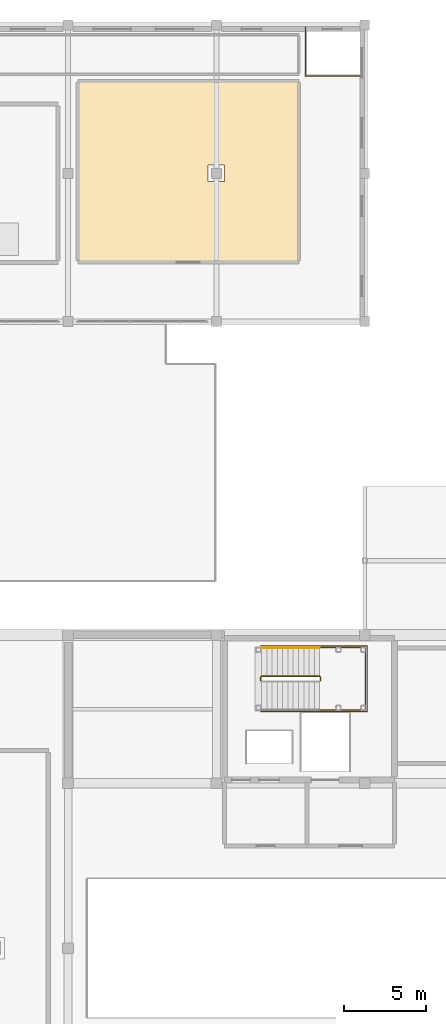
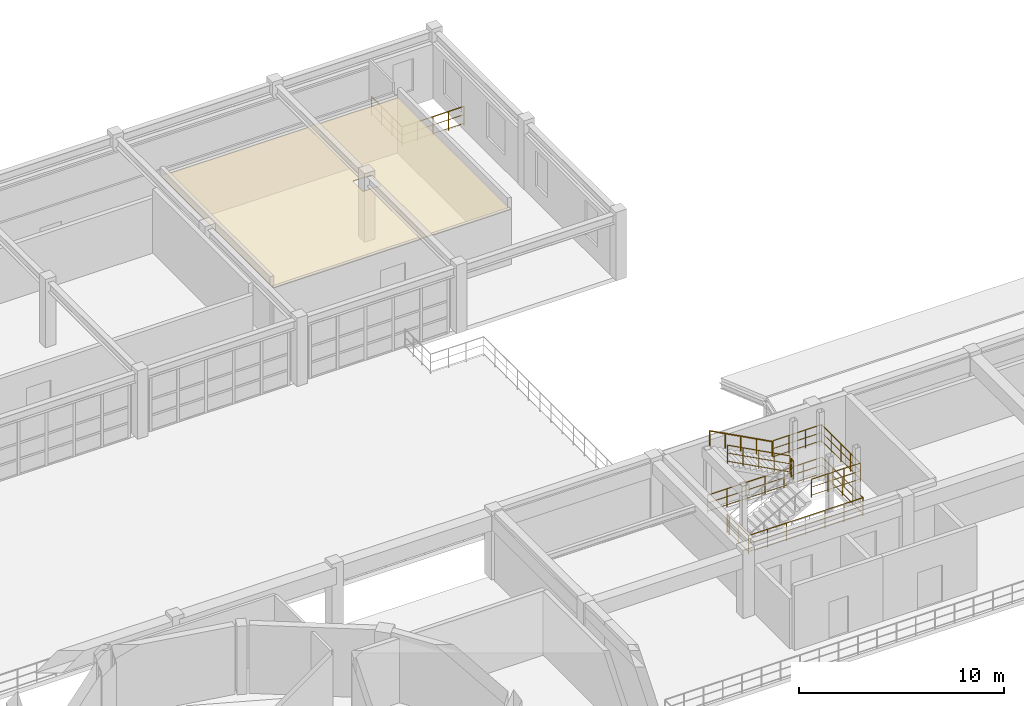
# One storey, part 80 of 80: 7 railings, 1 covering.
"""IFC4 building model written with IfcOpenShell, lengths in metres."""

from ifc_helpers import new_model, si_unit, direction, frame, origin, origin_2d, place, context, subcontext, project, spatial, polyline, circle, outline, extrude, material, layer, layer_set, type_object, element, save


model = new_model("IFC4")

# Units and contexts
model_context = context("Model", 3, precision=1e-05, world=origin(), true_north=direction((0.0, 1.0)))
body_context = subcontext(model_context, "Body", "Model", "MODEL_VIEW")
ifc_project = project(units=[si_unit("LENGTHUNIT", "METRE"), si_unit("AREAUNIT", "SQUARE_METRE"), si_unit("VOLUMEUNIT", "CUBIC_METRE"), si_unit("PLANEANGLEUNIT", "RADIAN"), si_unit("MASSUNIT", "GRAM", prefix="KILO")], contexts=[model_context])

# Site, building, storey
site_placement = place(None, origin())
site = spatial("IfcSite", under=ifc_project, at=site_placement, CompositionType="ELEMENT")
building_placement = place(site_placement, origin())
building = spatial("IfcBuilding", under=site, at=building_placement, Name="Miravela Opera House", CompositionType="ELEMENT")
storey_placement = place(building_placement, frame((0.0, 0.0, 17.679931640625)))
storey = spatial("IfcBuildingStorey", under=building, at=storey_placement, Name="L04", CompositionType="ELEMENT", Elevation=17.679931640625)

# Covering
ifc_material_1 = material(Name="Spanish Colonial coffered lime-plaster ceiling")
ifc_layer = layer(ifc_material_1, 0.0419921875)
ifc_layer_set = layer_set([ifc_layer])
covering_type = type_object("IfcCoveringType", Name="ARC-CEIL-COFFER-42", PredefinedType="CEILING", material=ifc_layer_set)
covering_placement = place(storey_placement, frame((0.0, 0.0, 3.197021484375)))
element("IfcCovering", 1, at=covering_placement, inside=storey, type_object=covering_type, Name="Endowment Boardroom and Patron Salon Acoustic Ceiling", PredefinedType="CEILING", context=body_context, shape_type="SweptSolid", body=[
    extrude(outline(polyline([(99.60009765625, 97.60009765625), (113.0, 97.60009765625), (113.0, 108.60009765625), (99.60009765625, 108.60009765625), (99.60009765625, 97.60009765625)]), holes=[polyline([(107.49560546875, 102.49560546875), (108.50439453125, 102.49560546875), (108.50439453125, 103.50439453125), (107.49560546875, 103.50439453125), (107.49560546875, 102.49560546875)])]), origin(), (0.0, 0.0, 1.0), 0.0419921875),
])

# Railings
ifc_material_2 = material(Name="Brushed bronze continuous stair handrail")
railing_type_1 = type_object("IfcRailingType", Name="ARC-RAIL-HAND-900", PredefinedType="HANDRAIL", material=ifc_material_2)
railing_1_placement = place(storey_placement, frame((114.260009765625, 74.22998046875, 2.2099609375)))
element("IfcRailing", 2, at=railing_1_placement, inside=storey, type_object=railing_type_1, Name="L04 ST-03 stair handrail 2", PredefinedType="HANDRAIL", context=body_context, shape_type="SweptSolid", body=[
    extrude(circle(Radius=0.02392578125, at=origin_2d()), frame((0.0, 0.0, 0.8759765625), z_axis=(-0.883104616746, 0.0, 0.469176124586), x_axis=(0.0, -1.0, 0.0)), (0.0, 0.0, 1.0), 3.98583984375),
    extrude(circle(Radius=0.02099609375, at=origin_2d()), origin(), (0.0, 0.0, 1.0), 0.851806640625),
    extrude(circle(Radius=0.02099609375, at=origin_2d()), frame((-0.8798828125, 0.0, 0.467529296875)), (0.0, 0.0, 1.0), 0.851806640625),
    extrude(circle(Radius=0.02099609375, at=origin_2d()), frame((-1.760009765625, 0.0, 0.93505859375)), (0.0, 0.0, 1.0), 0.851806640625),
    extrude(circle(Radius=0.02099609375, at=origin_2d()), frame((-2.64013671875, 0.0, 1.402587890625)), (0.0, 0.0, 1.0), 0.851806640625),
    extrude(circle(Radius=0.02099609375, at=origin_2d()), frame((-3.52001953125, 0.0, 1.8701171875)), (0.0, 0.0, 1.0), 0.851806640625),
])
ifc_material_3 = material(Name="Painted wrought-iron stair guardrail")
railing_type_2 = type_object("IfcRailingType", Name="ARC-RAIL-STAIR-GUARD", PredefinedType="GUARDRAIL", material=ifc_material_3)
railing_2_placement = place(storey_placement, frame((114.31005859375, 72.239990234375, 2.0400390625)))
element("IfcRailing", 3, at=railing_2_placement, inside=storey, type_object=railing_type_2, Name="L04 ST-03 stair guard 2", PredefinedType="GUARDRAIL", context=body_context, shape_type="SweptSolid", body=[
    extrude(circle(Radius=0.02392578125, at=origin_2d()), frame((0.0, 0.0, 1.076171875), z_axis=(0.0, 1.0, 0.0), x_axis=(-1.0, 0.0, 0.0)), (0.0, 0.0, 1.0), 0.199951171875),
    extrude(circle(Radius=0.01611328125, at=origin_2d()), frame((0.0, 0.0, 0.60498046875), z_axis=(0.0, 1.0, 0.0), x_axis=(-1.0, 0.0, 0.0)), (0.0, 0.0, 1.0), 0.199951171875),
    extrude(circle(Radius=0.01611328125, at=origin_2d()), frame((0.0, 0.0, 0.1201171875), z_axis=(0.0, 1.0, 0.0), x_axis=(-1.0, 0.0, 0.0)), (0.0, 0.0, 1.0), 0.199951171875),
    extrude(circle(Radius=0.02099609375, at=origin_2d()), origin(), (0.0, 0.0, 1.0), 1.052001953125),
    extrude(circle(Radius=0.02099609375, at=origin_2d()), frame((0.0, 0.199951171875, 0.0)), (0.0, 0.0, 1.0), 1.052001953125),
])
railing_3_placement = place(storey_placement, frame((114.260009765625, 72.489990234375, 2.2099609375)))
element("IfcRailing", 4, at=railing_3_placement, inside=storey, type_object=railing_type_2, Name="L04 ST-03 stair guard 3", PredefinedType="GUARDRAIL", context=body_context, shape_type="SweptSolid", body=[
    extrude(circle(Radius=0.02392578125, at=origin_2d()), frame((0.0, 0.0, 1.076171875), z_axis=(-0.883104616746, 0.0, 0.469176124586), x_axis=(0.0, -1.0, 0.0)), (0.0, 0.0, 1.0), 3.98583984375),
    extrude(circle(Radius=0.01611328125, at=origin_2d()), frame((0.0, 0.0, 0.60498046875), z_axis=(-0.883104616746, 0.0, 0.469176124586), x_axis=(0.0, -1.0, 0.0)), (0.0, 0.0, 1.0), 3.98583984375),
    extrude(circle(Radius=0.01611328125, at=origin_2d()), frame((0.0, 0.0, 0.1201171875), z_axis=(-0.883104616746, 0.0, 0.469176124586), x_axis=(0.0, -1.0, 0.0)), (0.0, 0.0, 1.0), 3.98583984375),
    extrude(circle(Radius=0.02099609375, at=origin_2d()), origin(), (0.0, 0.0, 1.0), 1.052001953125),
    extrude(circle(Radius=0.02099609375, at=origin_2d()), frame((-0.8798828125, 0.0, 0.467529296875)), (0.0, 0.0, 1.0), 1.052001953125),
    extrude(circle(Radius=0.02099609375, at=origin_2d()), frame((-1.760009765625, 0.0, 0.93505859375)), (0.0, 0.0, 1.0), 1.052001953125),
    extrude(circle(Radius=0.02099609375, at=origin_2d()), frame((-2.64013671875, 0.0, 1.402587890625)), (0.0, 0.0, 1.0), 1.052001953125),
    extrude(circle(Radius=0.02099609375, at=origin_2d()), frame((-3.52001953125, 0.0, 1.8701171875)), (0.0, 0.0, 1.0), 1.052001953125),
])
railing_4_placement = place(storey_placement, frame((110.68994140625, 72.239990234375, 0.0)))
element("IfcRailing", 5, at=railing_4_placement, inside=storey, type_object=railing_type_2, Name="L04 ST-03 stair guard 4", PredefinedType="GUARDRAIL", context=body_context, shape_type="SweptSolid", body=[
    extrude(circle(Radius=0.02392578125, at=origin_2d()), frame((0.0, 0.0, 1.076171875), z_axis=(0.0, 1.0, 0.0), x_axis=(-1.0, 0.0, 0.0)), (0.0, 0.0, 1.0), 0.199951171875),
    extrude(circle(Radius=0.01611328125, at=origin_2d()), frame((0.0, 0.0, 0.60498046875), z_axis=(0.0, 1.0, 0.0), x_axis=(-1.0, 0.0, 0.0)), (0.0, 0.0, 1.0), 0.199951171875),
    extrude(circle(Radius=0.01611328125, at=origin_2d()), frame((0.0, 0.0, 0.1201171875), z_axis=(0.0, 1.0, 0.0), x_axis=(-1.0, 0.0, 0.0)), (0.0, 0.0, 1.0), 0.199951171875),
    extrude(circle(Radius=0.02099609375, at=origin_2d()), origin(), (0.0, 0.0, 1.0), 1.052001953125),
    extrude(circle(Radius=0.02099609375, at=origin_2d()), frame((0.0, 0.199951171875, 0.0)), (0.0, 0.0, 1.0), 1.052001953125),
])
railing_5_placement = place(storey_placement, frame((114.31005859375, 70.449951171875, 2.0400390625)))
element("IfcRailing", 6, at=railing_5_placement, inside=storey, type_object=railing_type_2, Name="Stair ST-03 Half-Landing Perimeter Guard (L04) 0030", PredefinedType="GUARDRAIL", context=body_context, shape_type="SweptSolid", body=[
    extrude(circle(Radius=0.02392578125, at=origin_2d()), frame((0.0, 0.0, 1.076171875), z_axis=(1.0, 0.0, 0.0), x_axis=(0.0, 1.0, 0.0)), (0.0, 0.0, 1.0), 2.739990234375),
    extrude(circle(Radius=0.01611328125, at=origin_2d()), frame((0.0, 0.0, 0.60498046875), z_axis=(1.0, 0.0, 0.0), x_axis=(0.0, 1.0, 0.0)), (0.0, 0.0, 1.0), 2.739990234375),
    extrude(circle(Radius=0.01611328125, at=origin_2d()), frame((0.0, 0.0, 0.1201171875), z_axis=(1.0, 0.0, 0.0), x_axis=(0.0, 1.0, 0.0)), (0.0, 0.0, 1.0), 2.739990234375),
    extrude(circle(Radius=0.02392578125, at=origin_2d()), frame((2.739990234375, 0.0, 1.076171875), z_axis=(0.0, 1.0, 0.0), x_axis=(-1.0, 0.0, 0.0)), (0.0, 0.0, 1.0), 3.780029296875),
    extrude(circle(Radius=0.01611328125, at=origin_2d()), frame((2.739990234375, 0.0, 0.60498046875), z_axis=(0.0, 1.0, 0.0), x_axis=(-1.0, 0.0, 0.0)), (0.0, 0.0, 1.0), 3.780029296875),
    extrude(circle(Radius=0.01611328125, at=origin_2d()), frame((2.739990234375, 0.0, 0.1201171875), z_axis=(0.0, 1.0, 0.0), x_axis=(-1.0, 0.0, 0.0)), (0.0, 0.0, 1.0), 3.780029296875),
    extrude(circle(Radius=0.02392578125, at=origin_2d()), frame((2.739990234375, 3.780029296875, 1.076171875), z_axis=(-1.0, 0.0, 0.0), x_axis=(0.0, -1.0, 0.0)), (0.0, 0.0, 1.0), 2.739990234375),
    extrude(circle(Radius=0.01611328125, at=origin_2d()), frame((2.739990234375, 3.780029296875, 0.60498046875), z_axis=(-1.0, 0.0, 0.0), x_axis=(0.0, -1.0, 0.0)), (0.0, 0.0, 1.0), 2.739990234375),
    extrude(circle(Radius=0.01611328125, at=origin_2d()), frame((2.739990234375, 3.780029296875, 0.1201171875), z_axis=(-1.0, 0.0, 0.0), x_axis=(0.0, -1.0, 0.0)), (0.0, 0.0, 1.0), 2.739990234375),
    extrude(circle(Radius=0.02099609375, at=origin_2d()), origin(), (0.0, 0.0, 1.0), 1.052001953125),
    extrude(circle(Radius=0.02099609375, at=origin_2d()), frame((0.913330078125, 0.0, 0.0)), (0.0, 0.0, 1.0), 1.052001953125),
    extrude(circle(Radius=0.02099609375, at=origin_2d()), frame((1.82666015625, 0.0, 0.0)), (0.0, 0.0, 1.0), 1.052001953125),
    extrude(circle(Radius=0.02099609375, at=origin_2d()), frame((2.739990234375, 0.0, 0.0)), (0.0, 0.0, 1.0), 1.052001953125),
    extrude(circle(Radius=0.02099609375, at=origin_2d()), frame((2.739990234375, 0.945068359375, 0.0)), (0.0, 0.0, 1.0), 1.052001953125),
    extrude(circle(Radius=0.02099609375, at=origin_2d()), frame((2.739990234375, 1.89013671875, 0.0)), (0.0, 0.0, 1.0), 1.052001953125),
    extrude(circle(Radius=0.02099609375, at=origin_2d()), frame((2.739990234375, 2.8349609375, 0.0)), (0.0, 0.0, 1.0), 1.052001953125),
    extrude(circle(Radius=0.02099609375, at=origin_2d()), frame((2.739990234375, 3.780029296875, 0.0)), (0.0, 0.0, 1.0), 1.052001953125),
    extrude(circle(Radius=0.02099609375, at=origin_2d()), frame((1.82666015625, 3.780029296875, 0.0)), (0.0, 0.0, 1.0), 1.052001953125),
    extrude(circle(Radius=0.02099609375, at=origin_2d()), frame((0.913330078125, 3.780029296875, 0.0)), (0.0, 0.0, 1.0), 1.052001953125),
    extrude(circle(Radius=0.02099609375, at=origin_2d()), frame((0.0, 3.780029296875, 0.0)), (0.0, 0.0, 1.0), 1.052001953125),
])
railing_6_placement = place(storey_placement, frame((110.68994140625, 72.27001953125, 0.0)))
element("IfcRailing", 7, at=railing_6_placement, inside=storey, type_object=railing_type_2, Name="Stair ST-03 Well Slab Opening Guard (L04) 0035", PredefinedType="GUARDRAIL", context=body_context, shape_type="SweptSolid", body=[
    extrude(circle(Radius=0.02392578125, at=origin_2d()), frame((0.0, 0.0, 1.076171875), z_axis=(0.0, -1.0, 0.0), x_axis=(1.0, 0.0, 0.0)), (0.0, 0.0, 1.0), 1.919921875),
    extrude(circle(Radius=0.01611328125, at=origin_2d()), frame((0.0, 0.0, 0.60498046875), z_axis=(0.0, -1.0, 0.0), x_axis=(1.0, 0.0, 0.0)), (0.0, 0.0, 1.0), 1.919921875),
    extrude(circle(Radius=0.01611328125, at=origin_2d()), frame((0.0, 0.0, 0.1201171875), z_axis=(0.0, -1.0, 0.0), x_axis=(1.0, 0.0, 0.0)), (0.0, 0.0, 1.0), 1.919921875),
    extrude(circle(Radius=0.02392578125, at=origin_2d()), frame((0.0, -1.919921875, 1.076171875), z_axis=(1.0, 0.0, 0.0), x_axis=(0.0, 1.0, 0.0)), (0.0, 0.0, 1.0), 6.4599609375),
    extrude(circle(Radius=0.01611328125, at=origin_2d()), frame((0.0, -1.919921875, 0.60498046875), z_axis=(1.0, 0.0, 0.0), x_axis=(0.0, 1.0, 0.0)), (0.0, 0.0, 1.0), 6.4599609375),
    extrude(circle(Radius=0.01611328125, at=origin_2d()), frame((0.0, -1.919921875, 0.1201171875), z_axis=(1.0, 0.0, 0.0), x_axis=(0.0, 1.0, 0.0)), (0.0, 0.0, 1.0), 6.4599609375),
    extrude(circle(Radius=0.02392578125, at=origin_2d()), frame((6.4599609375, -1.919921875, 1.076171875), z_axis=(0.0, 1.0, 0.0), x_axis=(-1.0, 0.0, 0.0)), (0.0, 0.0, 1.0), 3.97998046875),
    extrude(circle(Radius=0.01611328125, at=origin_2d()), frame((6.4599609375, -1.919921875, 0.60498046875), z_axis=(0.0, 1.0, 0.0), x_axis=(-1.0, 0.0, 0.0)), (0.0, 0.0, 1.0), 3.97998046875),
    extrude(circle(Radius=0.01611328125, at=origin_2d()), frame((6.4599609375, -1.919921875, 0.1201171875), z_axis=(0.0, 1.0, 0.0), x_axis=(-1.0, 0.0, 0.0)), (0.0, 0.0, 1.0), 3.97998046875),
    extrude(circle(Radius=0.02392578125, at=origin_2d()), frame((6.4599609375, 2.06005859375, 1.076171875), z_axis=(-1.0, 0.0, 0.0), x_axis=(0.0, -1.0, 0.0)), (0.0, 0.0, 1.0), 6.4599609375),
    extrude(circle(Radius=0.01611328125, at=origin_2d()), frame((6.4599609375, 2.06005859375, 0.60498046875), z_axis=(-1.0, 0.0, 0.0), x_axis=(0.0, -1.0, 0.0)), (0.0, 0.0, 1.0), 6.4599609375),
    extrude(circle(Radius=0.01611328125, at=origin_2d()), frame((6.4599609375, 2.06005859375, 0.1201171875), z_axis=(-1.0, 0.0, 0.0), x_axis=(0.0, -1.0, 0.0)), (0.0, 0.0, 1.0), 6.4599609375),
    extrude(circle(Radius=0.02099609375, at=origin_2d()), origin(), (0.0, 0.0, 1.0), 1.052001953125),
    extrude(circle(Radius=0.02099609375, at=origin_2d()), frame((0.0, -0.9599609375, 0.0)), (0.0, 0.0, 1.0), 1.052001953125),
    extrude(circle(Radius=0.02099609375, at=origin_2d()), frame((0.0, -1.919921875, 0.0)), (0.0, 0.0, 1.0), 1.052001953125),
    extrude(circle(Radius=0.02099609375, at=origin_2d()), frame((1.07666015625, -1.919921875, 0.0)), (0.0, 0.0, 1.0), 1.052001953125),
    extrude(circle(Radius=0.02099609375, at=origin_2d()), frame((2.1533203125, -1.919921875, 0.0)), (0.0, 0.0, 1.0), 1.052001953125),
    extrude(circle(Radius=0.02099609375, at=origin_2d()), frame((3.22998046875, -1.919921875, 0.0)), (0.0, 0.0, 1.0), 1.052001953125),
    extrude(circle(Radius=0.02099609375, at=origin_2d()), frame((4.306640625, -1.919921875, 0.0)), (0.0, 0.0, 1.0), 1.052001953125),
    extrude(circle(Radius=0.02099609375, at=origin_2d()), frame((5.38330078125, -1.919921875, 0.0)), (0.0, 0.0, 1.0), 1.052001953125),
    extrude(circle(Radius=0.02099609375, at=origin_2d()), frame((6.4599609375, -1.919921875, 0.0)), (0.0, 0.0, 1.0), 1.052001953125),
    extrude(circle(Radius=0.02099609375, at=origin_2d()), frame((6.4599609375, -0.9248046875, 0.0)), (0.0, 0.0, 1.0), 1.052001953125),
    extrude(circle(Radius=0.02099609375, at=origin_2d()), frame((6.4599609375, 0.070068359375, 0.0)), (0.0, 0.0, 1.0), 1.052001953125),
    extrude(circle(Radius=0.02099609375, at=origin_2d()), frame((6.4599609375, 1.06494140625, 0.0)), (0.0, 0.0, 1.0), 1.052001953125),
    extrude(circle(Radius=0.02099609375, at=origin_2d()), frame((6.4599609375, 2.06005859375, 0.0)), (0.0, 0.0, 1.0), 1.052001953125),
    extrude(circle(Radius=0.02099609375, at=origin_2d()), frame((5.38330078125, 2.06005859375, 0.0)), (0.0, 0.0, 1.0), 1.052001953125),
    extrude(circle(Radius=0.02099609375, at=origin_2d()), frame((4.306640625, 2.06005859375, 0.0)), (0.0, 0.0, 1.0), 1.052001953125),
    extrude(circle(Radius=0.02099609375, at=origin_2d()), frame((3.22998046875, 2.06005859375, 0.0)), (0.0, 0.0, 1.0), 1.052001953125),
    extrude(circle(Radius=0.02099609375, at=origin_2d()), frame((2.1533203125, 2.06005859375, 0.0)), (0.0, 0.0, 1.0), 1.052001953125),
    extrude(circle(Radius=0.02099609375, at=origin_2d()), frame((1.07666015625, 2.06005859375, 0.0)), (0.0, 0.0, 1.0), 1.052001953125),
    extrude(circle(Radius=0.02099609375, at=origin_2d()), frame((0.0, 2.06005859375, 0.0)), (0.0, 0.0, 1.0), 1.052001953125),
])
ifc_material_4 = material(Name="Spanish Colonial wrought-iron terrace guard")
railing_type_3 = type_object("IfcRailingType", Name="ARC-RAIL-TERR-GUARD", PredefinedType="GUARDRAIL", material=ifc_material_4)
railing_7_placement = place(storey_placement, frame((116.89990234375, 108.89990234375, 0.0)))
element("IfcRailing", 8, at=railing_7_placement, inside=storey, type_object=railing_type_3, Name="SLAB-L04-V3M Stepped Corner Guardrail 0191", PredefinedType="GUARDRAIL", context=body_context, shape_type="SweptSolid", body=[
    extrude(circle(Radius=0.02685546875, at=origin_2d()), frame((0.0, 0.0, 1.1328125), z_axis=(-1.0, 0.0, 0.0), x_axis=(0.0, -1.0, 0.0)), (0.0, 0.0, 1.0), 3.5),
    extrude(circle(Radius=0.01611328125, at=origin_2d()), frame((0.0, 0.0, 0.637939453125), z_axis=(-1.0, 0.0, 0.0), x_axis=(0.0, -1.0, 0.0)), (0.0, 0.0, 1.0), 3.5),
    extrude(circle(Radius=0.01611328125, at=origin_2d()), frame((0.0, 0.0, 0.1201171875), z_axis=(-1.0, 0.0, 0.0), x_axis=(0.0, -1.0, 0.0)), (0.0, 0.0, 1.0), 3.5),
    extrude(circle(Radius=0.02685546875, at=origin_2d()), frame((-3.5, 0.0, 1.1328125), z_axis=(0.0, 1.0, 0.0), x_axis=(-1.0, 0.0, 0.0)), (0.0, 0.0, 1.0), 3.0),
    extrude(circle(Radius=0.01611328125, at=origin_2d()), frame((-3.5, 0.0, 0.637939453125), z_axis=(0.0, 1.0, 0.0), x_axis=(-1.0, 0.0, 0.0)), (0.0, 0.0, 1.0), 3.0),
    extrude(circle(Radius=0.01611328125, at=origin_2d()), frame((-3.5, 0.0, 0.1201171875), z_axis=(0.0, 1.0, 0.0), x_axis=(-1.0, 0.0, 0.0)), (0.0, 0.0, 1.0), 3.0),
    extrude(circle(Radius=0.02099609375, at=origin_2d()), origin(), (0.0, 0.0, 1.0), 1.10595703125),
    extrude(circle(Radius=0.02099609375, at=origin_2d()), frame((-0.875, 0.0, 0.0)), (0.0, 0.0, 1.0), 1.10595703125),
    extrude(circle(Radius=0.02099609375, at=origin_2d()), frame((-1.75, 0.0, 0.0)), (0.0, 0.0, 1.0), 1.10595703125),
    extrude(circle(Radius=0.02099609375, at=origin_2d()), frame((-2.625, 0.0, 0.0)), (0.0, 0.0, 1.0), 1.10595703125),
    extrude(circle(Radius=0.02099609375, at=origin_2d()), frame((-3.5, 0.0, 0.0)), (0.0, 0.0, 1.0), 1.10595703125),
    extrude(circle(Radius=0.02099609375, at=origin_2d()), frame((-3.5, 1.0, 0.0)), (0.0, 0.0, 1.0), 1.10595703125),
    extrude(circle(Radius=0.02099609375, at=origin_2d()), frame((-3.5, 2.0, 0.0)), (0.0, 0.0, 1.0), 1.10595703125),
    extrude(circle(Radius=0.02099609375, at=origin_2d()), frame((-3.5, 3.0, 0.0)), (0.0, 0.0, 1.0), 1.10595703125),
])

save(model, "model.ifc")
